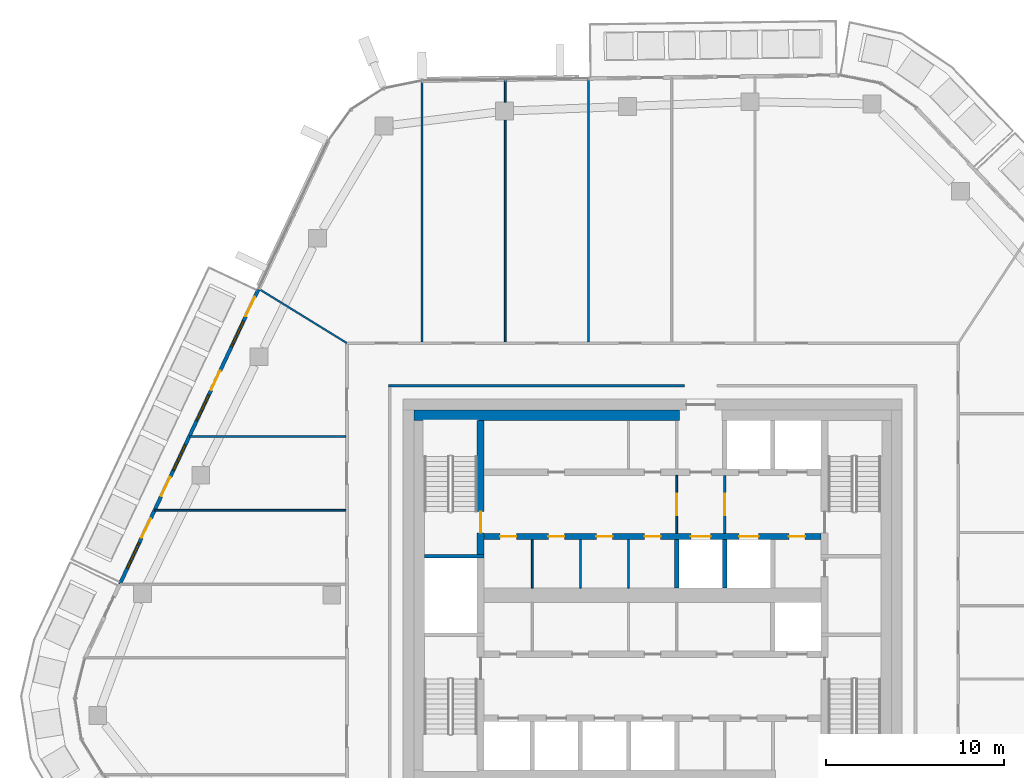
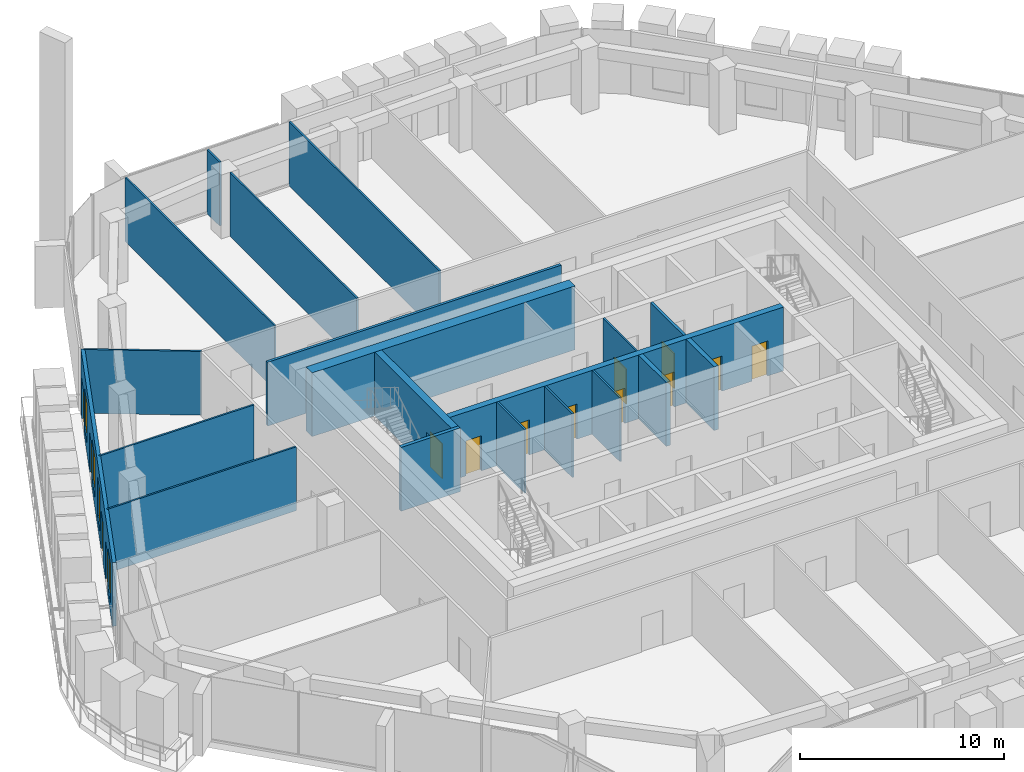
# One storey, part 15 of 24: 20 walls, 14 doors, 4 windows, 18 openings.
"""IFC4 building model written with IfcOpenShell, lengths in metres."""

from ifc_helpers import new_model, si_unit, direction, frame, frame_2d, origin, place, context, subcontext, project, spatial, rectangle, extrude, material, layer, layer_set, type_object, element, fill, save


model = new_model("IFC4")

# Units and contexts
model_context = context("Model", 3, precision=1e-05, world=origin(), true_north=direction((0.0, 1.0)))
body_context = subcontext(model_context, "Body", "Model", "MODEL_VIEW")
ifc_project = project(units=[si_unit("LENGTHUNIT", "METRE"), si_unit("AREAUNIT", "SQUARE_METRE"), si_unit("VOLUMEUNIT", "CUBIC_METRE"), si_unit("PLANEANGLEUNIT", "RADIAN"), si_unit("MASSUNIT", "GRAM", prefix="KILO")], contexts=[model_context])

# Site, building, storey
site_placement = place(None, origin())
site = spatial("IfcSite", under=ifc_project, at=site_placement, CompositionType="ELEMENT")
building_placement = place(site_placement, origin())
building = spatial("IfcBuilding", under=site, at=building_placement, Name="Dongbaek Canopy Tower", CompositionType="ELEMENT")
storey_placement = place(building_placement, frame((0.0, 0.0, 332.0)))
storey = spatial("IfcBuildingStorey", under=building, at=storey_placement, Name="L71", CompositionType="ELEMENT", Elevation=332.0)

# Wall, openings, doors
ifc_material_1 = material(Name="Concrete C60/75", Category="concrete")
ifc_layer_1 = layer(ifc_material_1, 0.35009765625)
ifc_layer_set_1 = layer_set([ifc_layer_1], Name="Core lobby wall 350 Concrete C60/75")
wall_type_1 = type_object("IfcWallType", Name="Core lobby wall 350 Concrete C60/75", PredefinedType="SHEAR", material=ifc_layer_set_1)
wall_1_placement = place(storey_placement, frame((9.449951171875, 3.300048828125, 0.0), z_axis=(0.0, 0.0, 1.0), x_axis=(-1.0, 0.0, 0.0)))
wall_1 = element("IfcWall", 1, at=wall_1_placement, inside=storey, type_object=wall_type_1, Name="Core wall", PredefinedType="SHEAR", context=body_context, shape_type="SweptSolid", body=[
    extrude(rectangle(XDim=18.89990234375, YDim=0.35009765625, at=frame_2d((9.449951171875, 0.0))), origin(), (0.0, 0.0, 1.0), 3.820068359375),
])
opening_1_placement = place(wall_1_placement, frame((6.199951171875, 0.0, 0.0)))
opening_1 = element("IfcOpeningElement", 2, at=opening_1_placement, cuts=wall_1, Name="Opening L71-D030", PredefinedType="OPENING", context=body_context, shape_type="SweptSolid", body=[
    extrude(rectangle(XDim=1.10009765625, YDim=2.10009765625, at=frame_2d((0.550048828125, 1.050048828125))), frame((0.0, 0.18505859375, 0.0), z_axis=(0.0, -1.0, 0.0), x_axis=(1.0, 0.0, 0.0)), (0.0, 0.0, 1.0), 0.3701171875),
])
opening_2_placement = place(wall_1_placement, frame((3.5, 0.0, 0.0)))
opening_2 = element("IfcOpeningElement", 3, at=opening_2_placement, cuts=wall_1, Name="Opening L71-D031", PredefinedType="OPENING", context=body_context, shape_type="SweptSolid", body=[
    extrude(rectangle(XDim=1.10009765625, YDim=2.10009765625, at=frame_2d((0.550048828125, 1.050048828125))), frame((0.0, 0.18505859375, 0.0), z_axis=(0.0, -1.0, 0.0), x_axis=(1.0, 0.0, 0.0)), (0.0, 0.0, 1.0), 0.3701171875),
])
opening_3_placement = place(wall_1_placement, frame((0.89990234375, 0.0, 0.0)))
opening_3 = element("IfcOpeningElement", 4, at=opening_3_placement, cuts=wall_1, Name="Opening L71-D032", PredefinedType="OPENING", context=body_context, shape_type="SweptSolid", body=[
    extrude(rectangle(XDim=0.89990234375, YDim=2.10009765625, at=frame_2d((0.449951171875, 1.050048828125))), frame((0.0, 0.18505859375, 0.0), z_axis=(0.0, -1.0, 0.0), x_axis=(1.0, 0.0, 0.0)), (0.0, 0.0, 1.0), 0.3701171875),
])
opening_4_placement = place(wall_1_placement, frame((17.10009765625, 0.0, 0.0)))
opening_4 = element("IfcOpeningElement", 5, at=opening_4_placement, cuts=wall_1, Name="Opening L71-D042", PredefinedType="OPENING", context=body_context, shape_type="SweptSolid", body=[
    extrude(rectangle(XDim=0.89990234375, YDim=2.10009765625, at=frame_2d((0.449951171875, 1.050048828125))), frame((0.0, 0.18505859375, 0.0), z_axis=(0.0, -1.0, 0.0), x_axis=(1.0, 0.0, 0.0)), (0.0, 0.0, 1.0), 0.3701171875),
])
opening_5_placement = place(wall_1_placement, frame((14.39990234375, 0.0, 0.0)))
opening_5 = element("IfcOpeningElement", 6, at=opening_5_placement, cuts=wall_1, Name="Opening L71-D043", PredefinedType="OPENING", context=body_context, shape_type="SweptSolid", body=[
    extrude(rectangle(XDim=0.89990234375, YDim=2.10009765625, at=frame_2d((0.449951171875, 1.050048828125))), frame((0.0, 0.18505859375, 0.0), z_axis=(0.0, -1.0, 0.0), x_axis=(1.0, 0.0, 0.0)), (0.0, 0.0, 1.0), 0.3701171875),
])
opening_6_placement = place(wall_1_placement, frame((11.699951171875, 0.0, 0.0)))
opening_6 = element("IfcOpeningElement", 7, at=opening_6_placement, cuts=wall_1, Name="Opening L71-D044", PredefinedType="OPENING", context=body_context, shape_type="SweptSolid", body=[
    extrude(rectangle(XDim=0.89990234375, YDim=2.10009765625, at=frame_2d((0.449951171875, 1.050048828125))), frame((0.0, 0.18505859375, 0.0), z_axis=(0.0, -1.0, 0.0), x_axis=(1.0, 0.0, 0.0)), (0.0, 0.0, 1.0), 0.3701171875),
])
opening_7_placement = place(wall_1_placement, frame((9.0, 0.0, 0.0)))
opening_7 = element("IfcOpeningElement", 8, at=opening_7_placement, cuts=wall_1, Name="Opening L71-D045", PredefinedType="OPENING", context=body_context, shape_type="SweptSolid", body=[
    extrude(rectangle(XDim=0.89990234375, YDim=2.10009765625, at=frame_2d((0.449951171875, 1.050048828125))), frame((0.0, 0.18505859375, 0.0), z_axis=(0.0, -1.0, 0.0), x_axis=(1.0, 0.0, 0.0)), (0.0, 0.0, 1.0), 0.3701171875),
])
ifc_material_2 = material(Name="Steel", Category="steel")
door_type_1 = type_object("IfcDoorType", Name="Core room door 900 x 2100", OperationType="SINGLE_SWING_LEFT", PredefinedType="DOOR", material=ifc_material_2)
door_1_placement = place(opening_3_placement, origin())
door_1 = element("IfcDoor", 9, at=door_1_placement, inside=storey, type_object=door_type_1, Name="Door L71-D032", OperationType="SINGLE_SWING_LEFT", OverallHeight=2.10009765625, OverallWidth=0.89990234375, PredefinedType="DOOR", context=body_context, shape_type="SweptSolid", body=[
    extrude(rectangle(XDim=0.89990234375, YDim=2.10009765625, at=frame_2d((0.449951171875, 1.050048828125))), frame((0.0, 0.02490234375, 0.0), z_axis=(0.0, -1.0, 0.0), x_axis=(1.0, 0.0, 0.0)), (0.0, 0.0, 1.0), 0.050048828125),
])
fill(opening_3, door_1)
door_2_placement = place(opening_4_placement, origin())
door_2 = element("IfcDoor", 10, at=door_2_placement, inside=storey, type_object=door_type_1, Name="Door L71-D042", OperationType="SINGLE_SWING_RIGHT", OverallHeight=2.10009765625, OverallWidth=0.89990234375, PredefinedType="DOOR", context=body_context, shape_type="SweptSolid", body=[
    extrude(rectangle(XDim=0.89990234375, YDim=2.10009765625, at=frame_2d((0.449951171875, 1.050048828125))), frame((0.0, 0.02490234375, 0.0), z_axis=(0.0, -1.0, 0.0), x_axis=(1.0, 0.0, 0.0)), (0.0, 0.0, 1.0), 0.050048828125),
])
fill(opening_4, door_2)
door_3_placement = place(opening_5_placement, origin())
door_3 = element("IfcDoor", 11, at=door_3_placement, inside=storey, type_object=door_type_1, Name="Door L71-D043", OperationType="SINGLE_SWING_LEFT", OverallHeight=2.10009765625, OverallWidth=0.89990234375, PredefinedType="DOOR", context=body_context, shape_type="SweptSolid", body=[
    extrude(rectangle(XDim=0.89990234375, YDim=2.10009765625, at=frame_2d((0.449951171875, 1.050048828125))), frame((0.0, 0.02490234375, 0.0), z_axis=(0.0, -1.0, 0.0), x_axis=(1.0, 0.0, 0.0)), (0.0, 0.0, 1.0), 0.050048828125),
])
fill(opening_5, door_3)
door_4_placement = place(opening_6_placement, origin())
door_4 = element("IfcDoor", 12, at=door_4_placement, inside=storey, type_object=door_type_1, Name="Door L71-D044", OperationType="SINGLE_SWING_RIGHT", OverallHeight=2.10009765625, OverallWidth=0.89990234375, PredefinedType="DOOR", context=body_context, shape_type="SweptSolid", body=[
    extrude(rectangle(XDim=0.89990234375, YDim=2.10009765625, at=frame_2d((0.449951171875, 1.050048828125))), frame((0.0, 0.02490234375, 0.0), z_axis=(0.0, -1.0, 0.0), x_axis=(1.0, 0.0, 0.0)), (0.0, 0.0, 1.0), 0.050048828125),
])
fill(opening_6, door_4)
door_5_placement = place(opening_7_placement, origin())
door_5 = element("IfcDoor", 13, at=door_5_placement, inside=storey, type_object=door_type_1, Name="Door L71-D045", OperationType="SINGLE_SWING_LEFT", OverallHeight=2.10009765625, OverallWidth=0.89990234375, PredefinedType="DOOR", context=body_context, shape_type="SweptSolid", body=[
    extrude(rectangle(XDim=0.89990234375, YDim=2.10009765625, at=frame_2d((0.449951171875, 1.050048828125))), frame((0.0, 0.02490234375, 0.0), z_axis=(0.0, -1.0, 0.0), x_axis=(1.0, 0.0, 0.0)), (0.0, 0.0, 1.0), 0.050048828125),
])
fill(opening_7, door_5)
ifc_material_3 = material(Name="Stainless steel", Category="steel")
door_type_2 = type_object("IfcDoorType", Name="Lift landing door 1100 x 2100", OperationType="DOUBLE_DOOR_SLIDING", PredefinedType="DOOR", material=ifc_material_3)
door_6_placement = place(opening_1_placement, origin())
door_6 = element("IfcDoor", 14, at=door_6_placement, inside=storey, type_object=door_type_2, Name="Landing door SV1", OperationType="DOUBLE_DOOR_SLIDING", OverallHeight=2.10009765625, OverallWidth=1.10009765625, PredefinedType="DOOR", context=body_context, shape_type="SweptSolid", body=[
    extrude(rectangle(XDim=1.10009765625, YDim=2.10009765625, at=frame_2d((0.550048828125, 1.050048828125))), frame((0.0, 0.02490234375, 0.0), z_axis=(0.0, -1.0, 0.0), x_axis=(1.0, 0.0, 0.0)), (0.0, 0.0, 1.0), 0.050048828125),
])
fill(opening_1, door_6)
door_7_placement = place(opening_2_placement, origin())
door_7 = element("IfcDoor", 15, at=door_7_placement, inside=storey, type_object=door_type_2, Name="Landing door FF3", OperationType="DOUBLE_DOOR_SLIDING", OverallHeight=2.10009765625, OverallWidth=1.10009765625, PredefinedType="DOOR", context=body_context, shape_type="SweptSolid", body=[
    extrude(rectangle(XDim=1.10009765625, YDim=2.10009765625, at=frame_2d((0.550048828125, 1.050048828125))), frame((0.0, 0.02490234375, 0.0), z_axis=(0.0, -1.0, 0.0), x_axis=(1.0, 0.0, 0.0)), (0.0, 0.0, 1.0), 0.050048828125),
])
fill(opening_2, door_7)

# Walls
ifc_material_4 = material(Name="Concrete C60/75", Category="concrete")
ifc_layer_2 = layer(ifc_material_4, 0.60009765625)
ifc_layer_set_2 = layer_set([ifc_layer_2], Name="Core wall lining 600 Concrete C60/75")
wall_type_2 = type_object("IfcWallType", Name="Core wall lining 600 Concrete C60/75", PredefinedType="SHEAR", material=ifc_layer_set_2)
wall_2_placement = place(storey_placement, frame((-13.39990234375, 10.10009765625, 0.0), z_axis=(0.0, 0.0, 1.0), x_axis=(1.0, 0.0, 0.0)))
element("IfcWall", 16, at=wall_2_placement, inside=storey, type_object=wall_type_2, Name="Core wall lining", PredefinedType="SHEAR", context=body_context, shape_type="SweptSolid", body=[
    extrude(rectangle(XDim=14.89990234375, YDim=0.60009765625, at=frame_2d((7.449951171875, 0.0))), origin(), (0.0, 0.0, 1.0), 3.820068359375),
])
ifc_material_5 = material(Name="Gypsum board partition, steel stud, 2 x 15 mm fire board", Category="steel")
ifc_layer_3 = layer(ifc_material_5, 0.14990234375)
ifc_layer_set_3 = layer_set([ifc_layer_3], Name="Fire-rated partition 150 gypsum board")
wall_type_3 = type_object("IfcWallType", Name="Fire-rated partition 150 gypsum board", PredefinedType="PARTITIONING", material=ifc_layer_set_3)
wall_3_placement = place(storey_placement, frame((-14.824951171875, 11.75, 0.0), z_axis=(0.0, 0.0, 1.0), x_axis=(1.0, 0.0, 0.0)))
element("IfcWall", 17, at=wall_3_placement, inside=storey, type_object=wall_type_3, Name="Corridor partition", PredefinedType="PARTITIONING", context=body_context, shape_type="SweptSolid", body=[
    extrude(rectangle(XDim=16.625, YDim=0.14990234375, at=frame_2d((8.3125, 0.0))), origin(), (0.0, 0.0, 1.0), 3.820068359375),
])

# Wall, opening, door
wall_4_placement = place(storey_placement, frame((4.050048828125, 6.72509765625, 0.0), z_axis=(0.0, 0.0, 1.0), x_axis=(0.0, -1.0, 0.0)))
wall_4 = element("IfcWall", 18, at=wall_4_placement, inside=storey, type_object=wall_type_3, Name="Fire lobby partition", PredefinedType="PARTITIONING", context=body_context, shape_type="SweptSolid", body=[
    extrude(rectangle(XDim=3.25, YDim=0.14990234375, at=frame_2d((1.625, 0.0))), origin(), (0.0, 0.0, 1.0), 3.820068359375),
])
opening_8_placement = place(wall_4_placement, frame((1.02490234375, 0.0, 0.0)))
opening_8 = element("IfcOpeningElement", 19, at=opening_8_placement, cuts=wall_4, Name="Opening L71-D057", PredefinedType="OPENING", context=body_context, shape_type="SweptSolid", body=[
    extrude(rectangle(XDim=1.199951171875, YDim=2.10009765625, at=frame_2d((0.60009765625, 1.050048828125))), frame((0.0, 0.0849609375, 0.0), z_axis=(0.0, -1.0, 0.0), x_axis=(1.0, 0.0, 0.0)), (0.0, 0.0, 1.0), 0.169921875),
])
ifc_material_6 = material(Name="Steel", Category="steel")
door_type_3 = type_object("IfcDoorType", Name="Fire lobby door 1200 x 2100", OperationType="SINGLE_SWING_LEFT", PredefinedType="DOOR", material=ifc_material_6)
door_8_placement = place(opening_8_placement, origin())
door_8 = element("IfcDoor", 20, at=door_8_placement, inside=storey, type_object=door_type_3, Name="Door L71-D057", OperationType="SINGLE_SWING_RIGHT", OverallHeight=2.10009765625, OverallWidth=1.199951171875, PredefinedType="DOOR", context=body_context, shape_type="SweptSolid", body=[
    extrude(rectangle(XDim=1.199951171875, YDim=2.10009765625, at=frame_2d((0.60009765625, 1.050048828125))), frame((0.0, 0.02490234375, 0.0), z_axis=(0.0, -1.0, 0.0), x_axis=(1.0, 0.0, 0.0)), (0.0, 0.0, 1.0), 0.050048828125),
])
fill(opening_8, door_8)

# Walls
ifc_material_7 = material(Name="Concrete C40/50", Category="concrete")
ifc_layer_4 = layer(ifc_material_7, 0.25)
ifc_layer_set_4 = layer_set([ifc_layer_4], Name="Lift shaft wall 250 Concrete C40/50")
wall_type_4 = type_object("IfcWallType", Name="Lift shaft wall 250 Concrete C40/50", PredefinedType="SOLIDWALL", material=ifc_layer_set_4)
for number, where, z_axis, x_axis, name in (
    (21, (4.050048828125, 0.39990234375, 0.0), (0.0, 0.0, 1.0), (0.0, 1.0, 0.0), "Lift shaft wall"),
    (22, (1.35009765625, 0.39990234375, 0.0), (0.0, 0.0, 1.0), (0.0, 1.0, 0.0), "Lift shaft wall"),
):
    element("IfcWall", number, at=place(storey_placement, frame(where, z_axis=z_axis, x_axis=x_axis)), inside=storey, type_object=wall_type_4, Name=name, PredefinedType="SOLIDWALL", context=body_context, shape_type="SweptSolid", body=[
        extrude(rectangle(XDim=2.72509765625, YDim=0.25, at=frame_2d((1.362548828125, 0.0))), origin(), (0.0, 0.0, 1.0), 3.820068359375),
    ])
ifc_material_8 = material(Name="Gypsum board partition, steel stud, 2 x 12.5 mm board", Category="steel")
ifc_layer_5 = layer(ifc_material_8, 0.10009765625)
ifc_layer_set_5 = layer_set([ifc_layer_5], Name="Partition 100 gypsum board")
wall_type_5 = type_object("IfcWallType", Name="Partition 100 gypsum board", PredefinedType="PARTITIONING", material=ifc_layer_set_5)
wall_5_placement = place(storey_placement, frame((-27.919677734375, 4.76806640625, 0.0), z_axis=(0.0, 0.0, 1.0), x_axis=(1.0, 0.0, 0.0)))
element("IfcWall", 23, at=wall_5_placement, inside=storey, type_object=wall_type_5, Name="Partition", PredefinedType="PARTITIONING", context=body_context, shape_type="SweptSolid", body=[
    extrude(rectangle(XDim=10.694580078125, YDim=0.10009765625, at=frame_2d((5.34716796875, 0.0))), origin(), (0.0, 0.0, 1.0), 3.820068359375),
])
wall_6_placement = place(storey_placement, frame((-25.971923828125, 8.910888671875, 0.0), z_axis=(0.0, 0.0, 1.0), x_axis=(1.0, 0.0, 0.0)))
element("IfcWall", 24, at=wall_6_placement, inside=storey, type_object=wall_type_5, Name="Partition", PredefinedType="PARTITIONING", context=body_context, shape_type="SweptSolid", body=[
    extrude(rectangle(XDim=8.746826171875, YDim=0.10009765625, at=frame_2d((4.37353515625, 0.0))), origin(), (0.0, 0.0, 1.0), 3.820068359375),
])
wall_7_placement = place(storey_placement, frame((-3.593017578125, 14.22509765625, 0.0), z_axis=(0.0, 0.0, 1.0), x_axis=(0.0, 1.0, 0.0)))
element("IfcWall", 25, at=wall_7_placement, inside=storey, type_object=wall_type_5, Name="Partition", PredefinedType="PARTITIONING", context=body_context, shape_type="SweptSolid", body=[
    extrude(rectangle(XDim=14.746826171875, YDim=0.10009765625, at=frame_2d((7.37353515625, 0.0))), origin(), (0.0, 0.0, 1.0), 3.820068359375),
])
wall_8_placement = place(storey_placement, frame((-8.26806640625, 14.22509765625, 0.0), z_axis=(0.0, 0.0, 1.0), x_axis=(0.0, 1.0, 0.0)))
element("IfcWall", 26, at=wall_8_placement, inside=storey, type_object=wall_type_5, Name="Partition", PredefinedType="PARTITIONING", context=body_context, shape_type="SweptSolid", body=[
    extrude(rectangle(XDim=12.43896484375, YDim=0.10009765625, at=frame_2d((6.219482421875, 0.0))), origin(), (0.0, 0.0, 1.0), 3.820068359375),
])
wall_9_placement = place(storey_placement, frame((-8.26806640625, 27.6640625, 0.0), z_axis=(0.0, 0.0, 1.0), x_axis=(0.0, 1.0, 0.0)))
element("IfcWall", 27, at=wall_9_placement, inside=storey, type_object=wall_type_5, Name="Partition", PredefinedType="PARTITIONING", context=body_context, shape_type="SweptSolid", body=[
    extrude(rectangle(XDim=1.246337890625, YDim=0.10009765625, at=frame_2d((0.623046875, 0.0))), origin(), (0.0, 0.0, 1.0), 3.820068359375),
])
wall_10_placement = place(storey_placement, frame((-12.931884765625, 14.22509765625, 0.0), z_axis=(0.0, 0.0, 1.0), x_axis=(0.0, 1.0, 0.0)))
element("IfcWall", 28, at=wall_10_placement, inside=storey, type_object=wall_type_5, Name="Partition", PredefinedType="PARTITIONING", context=body_context, shape_type="SweptSolid", body=[
    extrude(rectangle(XDim=14.62353515625, YDim=0.10009765625, at=frame_2d((7.311767578125, 0.0))), origin(), (0.0, 0.0, 1.0), 3.820068359375),
])
wall_11_placement = place(storey_placement, frame((-22.081298828125, 17.185302734375, 0.0), z_axis=(0.0, 0.0, 1.0), x_axis=(0.85162357217, -0.524153881341, 0.0)))
element("IfcWall", 29, at=wall_11_placement, inside=storey, type_object=wall_type_5, Name="Partition", PredefinedType="PARTITIONING", context=body_context, shape_type="SweptSolid", body=[
    extrude(rectangle(XDim=5.79052734375, YDim=0.10009765625, at=frame_2d((2.895263671875, 0.0))), origin(), (0.0, 0.0, 1.0), 3.820068359375),
])

# Wall, opening, door
wall_12_placement = place(storey_placement, frame((1.35009765625, 6.72509765625, 0.0), z_axis=(0.0, 0.0, 1.0), x_axis=(0.0, -1.0, 0.0)))
wall_12 = element("IfcWall", 30, at=wall_12_placement, inside=storey, type_object=wall_type_5, Name="Core partition", PredefinedType="PARTITIONING", context=body_context, shape_type="SweptSolid", body=[
    extrude(rectangle(XDim=3.25, YDim=0.10009765625, at=frame_2d((1.625, 0.0))), origin(), (0.0, 0.0, 1.0), 3.820068359375),
])
opening_9_placement = place(wall_12_placement, frame((1.02490234375, 0.0, 0.0)))
opening_9 = element("IfcOpeningElement", 31, at=opening_9_placement, cuts=wall_12, Name="Opening L71-D056", PredefinedType="OPENING", context=body_context, shape_type="SweptSolid", body=[
    extrude(rectangle(XDim=1.199951171875, YDim=2.10009765625, at=frame_2d((0.60009765625, 1.050048828125))), frame((0.0, 0.06005859375, 0.0), z_axis=(0.0, -1.0, 0.0), x_axis=(1.0, 0.0, 0.0)), (0.0, 0.0, 1.0), 0.1201171875),
])
door_9_placement = place(opening_9_placement, origin())
door_9 = element("IfcDoor", 32, at=door_9_placement, inside=storey, type_object=door_type_3, Name="Door L71-D056", OperationType="SINGLE_SWING_LEFT", OverallHeight=2.10009765625, OverallWidth=1.199951171875, PredefinedType="DOOR", context=body_context, shape_type="SweptSolid", body=[
    extrude(rectangle(XDim=1.199951171875, YDim=2.10009765625, at=frame_2d((0.60009765625, 1.050048828125))), frame((0.0, 0.02490234375, 0.0), z_axis=(0.0, -1.0, 0.0), x_axis=(1.0, 0.0, 0.0)), (0.0, 0.0, 1.0), 0.050048828125),
])
fill(opening_9, door_9)

# Walls
for number, where, z_axis, x_axis, name in (
    (33, (-1.35009765625, 0.39990234375, 0.0), (0.0, 0.0, 1.0), (0.0, 1.0, 0.0), "Core partition"),
    (34, (-4.050048828125, 0.39990234375, 0.0), (0.0, 0.0, 1.0), (0.0, 1.0, 0.0), "Core partition"),
    (35, (-6.75, 0.39990234375, 0.0), (0.0, 0.0, 1.0), (0.0, 1.0, 0.0), "Core partition"),
):
    element("IfcWall", number, at=place(storey_placement, frame(where, z_axis=z_axis, x_axis=x_axis)), inside=storey, type_object=wall_type_5, Name=name, PredefinedType="PARTITIONING", context=body_context, shape_type="SweptSolid", body=[
        extrude(rectangle(XDim=2.72509765625, YDim=0.10009765625, at=frame_2d((1.362548828125, 0.0))), origin(), (0.0, 0.0, 1.0), 3.820068359375),
    ])
ifc_material_9 = material(Name="Concrete C60/75", Category="concrete")
ifc_layer_6 = layer(ifc_material_9, 0.199951171875)
ifc_layer_set_6 = layer_set([ifc_layer_6], Name="Riser wall 200 Concrete C60/75")
wall_type_6 = type_object("IfcWallType", Name="Riser wall 200 Concrete C60/75", PredefinedType="SHEAR", material=ifc_layer_set_6)
wall_13_placement = place(storey_placement, frame((-9.449951171875, 2.199951171875, 0.0), z_axis=(0.0, 0.0, 1.0), x_axis=(-1.0, 0.0, 0.0)))
element("IfcWall", 36, at=wall_13_placement, inside=storey, type_object=wall_type_6, Name="Riser wall", PredefinedType="SHEAR", context=body_context, shape_type="SweptSolid", body=[
    extrude(rectangle(XDim=3.35009765625, YDim=0.199951171875, at=frame_2d((1.675048828125, 0.0))), origin(), (0.0, 0.0, 1.0), 3.820068359375),
])

# Wall, opening, door
ifc_material_10 = material(Name="Concrete C60/75", Category="concrete")
ifc_layer_7 = layer(ifc_material_10, 0.39990234375)
ifc_layer_set_7 = layer_set([ifc_layer_7], Name="Stair wall 400 Concrete C60/75")
wall_type_7 = type_object("IfcWallType", Name="Stair wall 400 Concrete C60/75", PredefinedType="SHEAR", material=ifc_layer_set_7)
wall_14_placement = place(storey_placement, frame((-9.64990234375, 2.300048828125, 0.0), z_axis=(0.0, 0.0, 1.0), x_axis=(0.0, 1.0, 0.0)))
wall_14 = element("IfcWall", 37, at=wall_14_placement, inside=storey, type_object=wall_type_7, Name="Stair wall", PredefinedType="SHEAR", context=body_context, shape_type="SweptSolid", body=[
    extrude(rectangle(XDim=7.5, YDim=0.39990234375, at=frame_2d((3.75, 0.0))), origin(), (0.0, 0.0, 1.0), 3.820068359375),
])
opening_10_placement = place(wall_14_placement, frame((1.199951171875, 0.0, 0.0)))
opening_10 = element("IfcOpeningElement", 38, at=opening_10_placement, cuts=wall_14, Name="Opening L71-D053", PredefinedType="OPENING", context=body_context, shape_type="SweptSolid", body=[
    extrude(rectangle(XDim=1.199951171875, YDim=2.10009765625, at=frame_2d((0.60009765625, 1.050048828125))), frame((0.0, 0.2099609375, 0.0), z_axis=(0.0, -1.0, 0.0), x_axis=(1.0, 0.0, 0.0)), (0.0, 0.0, 1.0), 0.419921875),
])
ifc_material_11 = material(Name="Steel", Category="steel")
door_type_4 = type_object("IfcDoorType", Name="Stair door 1200 x 2100", OperationType="SINGLE_SWING_LEFT", PredefinedType="DOOR", material=ifc_material_11)
door_10_placement = place(opening_10_placement, origin())
door_10 = element("IfcDoor", 39, at=door_10_placement, inside=storey, type_object=door_type_4, Name="Stair C door", OperationType="SINGLE_SWING_RIGHT", OverallHeight=2.10009765625, OverallWidth=1.199951171875, PredefinedType="DOOR", context=body_context, shape_type="SweptSolid", body=[
    extrude(rectangle(XDim=1.199951171875, YDim=2.10009765625, at=frame_2d((0.60009765625, 1.050048828125))), frame((0.0, 0.02490234375, 0.0), z_axis=(0.0, -1.0, 0.0), x_axis=(1.0, 0.0, 0.0)), (0.0, 0.0, 1.0), 0.050048828125),
])
fill(opening_10, door_10)

# Wall, openings, doors, windows
ifc_material_12 = material(Name="Aluminium window wall", Category="aluminium")
ifc_layer_8 = layer(ifc_material_12, 0.199951171875)
ifc_layer_set_8 = layer_set([ifc_layer_8], Name="Window wall 200")
wall_type_8 = type_object("IfcWallType", Name="Window wall 200", PredefinedType="SOLIDWALL", material=ifc_layer_set_8)
wall_15_placement = place(storey_placement, frame((-22.098876953125, 17.195068359375, 0.0), z_axis=(0.0, 0.0, 1.0), x_axis=(-0.425492631057, -0.904961889206, 0.0)))
wall_15 = element("IfcWall", 40, at=wall_15_placement, inside=storey, type_object=wall_type_8, Name="Window wall L71 3", PredefinedType="SOLIDWALL", context=body_context, shape_type="SweptSolid", body=[
    extrude(rectangle(XDim=18.309326171875, YDim=0.199951171875, at=frame_2d((9.15478515625, 0.0))), origin(), (0.0, 0.0, 1.0), 3.820068359375),
])
opening_11_placement = place(wall_15_placement, frame((2.0, 0.0, 0.60009765625)))
opening_11 = element("IfcOpeningElement", 41, at=opening_11_placement, cuts=wall_15, Name="Opening W1", PredefinedType="OPENING", context=body_context, shape_type="SweptSolid", body=[
    extrude(rectangle(XDim=1.60009765625, YDim=2.39990234375, at=frame_2d((0.800048828125, 1.199951171875))), frame((0.0, 0.10986328125, 0.0), z_axis=(0.0, -1.0, 0.0), x_axis=(1.0, 0.0, 0.0)), (0.0, 0.0, 1.0), 0.219970703125),
])
opening_12_placement = place(wall_15_placement, frame((0.5, 0.0, 0.0)))
opening_12 = element("IfcOpeningElement", 42, at=opening_12_placement, cuts=wall_15, Name="Opening L71-B07", PredefinedType="OPENING", context=body_context, shape_type="SweptSolid", body=[
    extrude(rectangle(XDim=1.199951171875, YDim=2.39990234375, at=frame_2d((0.60009765625, 1.199951171875))), frame((0.0, 0.10986328125, 0.0), z_axis=(0.0, -1.0, 0.0), x_axis=(1.0, 0.0, 0.0)), (0.0, 0.0, 1.0), 0.219970703125),
])
opening_13_placement = place(wall_15_placement, frame((6.577392578125, 0.0, 0.60009765625)))
opening_13 = element("IfcOpeningElement", 43, at=opening_13_placement, cuts=wall_15, Name="Opening W1", PredefinedType="OPENING", context=body_context, shape_type="SweptSolid", body=[
    extrude(rectangle(XDim=1.60009765625, YDim=2.39990234375, at=frame_2d((0.800048828125, 1.199951171875))), frame((0.0, 0.10986328125, 0.0), z_axis=(0.0, -1.0, 0.0), x_axis=(1.0, 0.0, 0.0)), (0.0, 0.0, 1.0), 0.219970703125),
])
opening_14_placement = place(wall_15_placement, frame((5.077392578125, 0.0, 0.0)))
opening_14 = element("IfcOpeningElement", 44, at=opening_14_placement, cuts=wall_15, Name="Opening L71-B08", PredefinedType="OPENING", context=body_context, shape_type="SweptSolid", body=[
    extrude(rectangle(XDim=1.199951171875, YDim=2.39990234375, at=frame_2d((0.60009765625, 1.199951171875))), frame((0.0, 0.10986328125, 0.0), z_axis=(0.0, -1.0, 0.0), x_axis=(1.0, 0.0, 0.0)), (0.0, 0.0, 1.0), 0.219970703125),
])
opening_15_placement = place(wall_15_placement, frame((9.65478515625, 0.0, 0.60009765625)))
opening_15 = element("IfcOpeningElement", 45, at=opening_15_placement, cuts=wall_15, Name="Opening W1", PredefinedType="OPENING", context=body_context, shape_type="SweptSolid", body=[
    extrude(rectangle(XDim=1.60009765625, YDim=2.39990234375, at=frame_2d((0.800048828125, 1.199951171875))), frame((0.0, 0.10986328125, 0.0), z_axis=(0.0, -1.0, 0.0), x_axis=(1.0, 0.0, 0.0)), (0.0, 0.0, 1.0), 0.219970703125),
])
opening_16_placement = place(wall_15_placement, frame((11.65478515625, 0.0, 0.0)))
opening_16 = element("IfcOpeningElement", 46, at=opening_16_placement, cuts=wall_15, Name="Opening L71-B09", PredefinedType="OPENING", context=body_context, shape_type="SweptSolid", body=[
    extrude(rectangle(XDim=1.199951171875, YDim=2.39990234375, at=frame_2d((0.60009765625, 1.199951171875))), frame((0.0, 0.10986328125, 0.0), z_axis=(0.0, -1.0, 0.0), x_axis=(1.0, 0.0, 0.0)), (0.0, 0.0, 1.0), 0.219970703125),
])
opening_17_placement = place(wall_15_placement, frame((15.732177734375, 0.0, 0.60009765625)))
opening_17 = element("IfcOpeningElement", 47, at=opening_17_placement, cuts=wall_15, Name="Opening W1", PredefinedType="OPENING", context=body_context, shape_type="SweptSolid", body=[
    extrude(rectangle(XDim=1.60009765625, YDim=2.39990234375, at=frame_2d((0.800048828125, 1.199951171875))), frame((0.0, 0.10986328125, 0.0), z_axis=(0.0, -1.0, 0.0), x_axis=(1.0, 0.0, 0.0)), (0.0, 0.0, 1.0), 0.219970703125),
])
opening_18_placement = place(wall_15_placement, frame((14.232177734375, 0.0, 0.0)))
opening_18 = element("IfcOpeningElement", 48, at=opening_18_placement, cuts=wall_15, Name="Opening L71-B10", PredefinedType="OPENING", context=body_context, shape_type="SweptSolid", body=[
    extrude(rectangle(XDim=1.199951171875, YDim=2.39990234375, at=frame_2d((0.60009765625, 1.199951171875))), frame((0.0, 0.10986328125, 0.0), z_axis=(0.0, -1.0, 0.0), x_axis=(1.0, 0.0, 0.0)), (0.0, 0.0, 1.0), 0.219970703125),
])
ifc_material_13 = material(Name="Clear glazing in aluminium frame", Category="aluminium")
door_type_5 = type_object("IfcDoorType", Name="Balcony door BD1 1200 x 2400", OperationType="SLIDING_TO_LEFT", PredefinedType="DOOR", material=ifc_material_13)
door_11_placement = place(opening_12_placement, origin())
door_11 = element("IfcDoor", 49, at=door_11_placement, inside=storey, type_object=door_type_5, Name="Balcony door L71-B07", OperationType="SLIDING_TO_LEFT", OverallHeight=2.39990234375, OverallWidth=1.199951171875, PredefinedType="DOOR", context=body_context, shape_type="SweptSolid", body=[
    extrude(rectangle(XDim=1.199951171875, YDim=2.39990234375, at=frame_2d((0.60009765625, 1.199951171875))), frame((0.0, 0.02490234375, 0.0), z_axis=(0.0, -1.0, 0.0), x_axis=(1.0, 0.0, 0.0)), (0.0, 0.0, 1.0), 0.050048828125),
])
fill(opening_12, door_11)
door_12_placement = place(opening_14_placement, origin())
door_12 = element("IfcDoor", 50, at=door_12_placement, inside=storey, type_object=door_type_5, Name="Balcony door L71-B08", OperationType="SLIDING_TO_LEFT", OverallHeight=2.39990234375, OverallWidth=1.199951171875, PredefinedType="DOOR", context=body_context, shape_type="SweptSolid", body=[
    extrude(rectangle(XDim=1.199951171875, YDim=2.39990234375, at=frame_2d((0.60009765625, 1.199951171875))), frame((0.0, 0.02490234375, 0.0), z_axis=(0.0, -1.0, 0.0), x_axis=(1.0, 0.0, 0.0)), (0.0, 0.0, 1.0), 0.050048828125),
])
fill(opening_14, door_12)
door_13_placement = place(opening_16_placement, origin())
door_13 = element("IfcDoor", 51, at=door_13_placement, inside=storey, type_object=door_type_5, Name="Balcony door L71-B09", OperationType="SLIDING_TO_LEFT", OverallHeight=2.39990234375, OverallWidth=1.199951171875, PredefinedType="DOOR", context=body_context, shape_type="SweptSolid", body=[
    extrude(rectangle(XDim=1.199951171875, YDim=2.39990234375, at=frame_2d((0.60009765625, 1.199951171875))), frame((0.0, 0.02490234375, 0.0), z_axis=(0.0, -1.0, 0.0), x_axis=(1.0, 0.0, 0.0)), (0.0, 0.0, 1.0), 0.050048828125),
])
fill(opening_16, door_13)
door_14_placement = place(opening_18_placement, origin())
door_14 = element("IfcDoor", 52, at=door_14_placement, inside=storey, type_object=door_type_5, Name="Balcony door L71-B10", OperationType="SLIDING_TO_LEFT", OverallHeight=2.39990234375, OverallWidth=1.199951171875, PredefinedType="DOOR", context=body_context, shape_type="SweptSolid", body=[
    extrude(rectangle(XDim=1.199951171875, YDim=2.39990234375, at=frame_2d((0.60009765625, 1.199951171875))), frame((0.0, 0.02490234375, 0.0), z_axis=(0.0, -1.0, 0.0), x_axis=(1.0, 0.0, 0.0)), (0.0, 0.0, 1.0), 0.050048828125),
])
fill(opening_18, door_14)
ifc_material_14 = material(Name="Clear glazing in aluminium frame", Category="aluminium")
window_type = type_object("IfcWindowType", Name="Window W1 1600 x 2400", PartitioningType="SINGLE_PANEL", PredefinedType="WINDOW", material=ifc_material_14)
window_1_placement = place(opening_11_placement, origin())
window_1 = element("IfcWindow", 53, at=window_1_placement, inside=storey, type_object=window_type, Name="Window L71 3.1", OverallHeight=2.39990234375, OverallWidth=1.60009765625, PartitioningType="SINGLE_PANEL", PredefinedType="WINDOW", context=body_context, shape_type="SweptSolid", body=[
    extrude(rectangle(XDim=1.60009765625, YDim=2.39990234375, at=frame_2d((0.800048828125, 1.199951171875))), frame((0.0, 0.030029296875, 0.0), z_axis=(0.0, -1.0, 0.0), x_axis=(1.0, 0.0, 0.0)), (0.0, 0.0, 1.0), 0.06005859375),
])
fill(opening_11, window_1)
window_2_placement = place(opening_13_placement, origin())
window_2 = element("IfcWindow", 54, at=window_2_placement, inside=storey, type_object=window_type, Name="Window L71 3.2", OverallHeight=2.39990234375, OverallWidth=1.60009765625, PartitioningType="SINGLE_PANEL", PredefinedType="WINDOW", context=body_context, shape_type="SweptSolid", body=[
    extrude(rectangle(XDim=1.60009765625, YDim=2.39990234375, at=frame_2d((0.800048828125, 1.199951171875))), frame((0.0, 0.030029296875, 0.0), z_axis=(0.0, -1.0, 0.0), x_axis=(1.0, 0.0, 0.0)), (0.0, 0.0, 1.0), 0.06005859375),
])
fill(opening_13, window_2)
window_3_placement = place(opening_15_placement, origin())
window_3 = element("IfcWindow", 55, at=window_3_placement, inside=storey, type_object=window_type, Name="Window L71 3.3", OverallHeight=2.39990234375, OverallWidth=1.60009765625, PartitioningType="SINGLE_PANEL", PredefinedType="WINDOW", context=body_context, shape_type="SweptSolid", body=[
    extrude(rectangle(XDim=1.60009765625, YDim=2.39990234375, at=frame_2d((0.800048828125, 1.199951171875))), frame((0.0, 0.030029296875, 0.0), z_axis=(0.0, -1.0, 0.0), x_axis=(1.0, 0.0, 0.0)), (0.0, 0.0, 1.0), 0.06005859375),
])
fill(opening_15, window_3)
window_4_placement = place(opening_17_placement, origin())
window_4 = element("IfcWindow", 56, at=window_4_placement, inside=storey, type_object=window_type, Name="Window L71 3.4", OverallHeight=2.39990234375, OverallWidth=1.60009765625, PartitioningType="SINGLE_PANEL", PredefinedType="WINDOW", context=body_context, shape_type="SweptSolid", body=[
    extrude(rectangle(XDim=1.60009765625, YDim=2.39990234375, at=frame_2d((0.800048828125, 1.199951171875))), frame((0.0, 0.030029296875, 0.0), z_axis=(0.0, -1.0, 0.0), x_axis=(1.0, 0.0, 0.0)), (0.0, 0.0, 1.0), 0.06005859375),
])
fill(opening_17, window_4)

save(model, "model.ifc")
